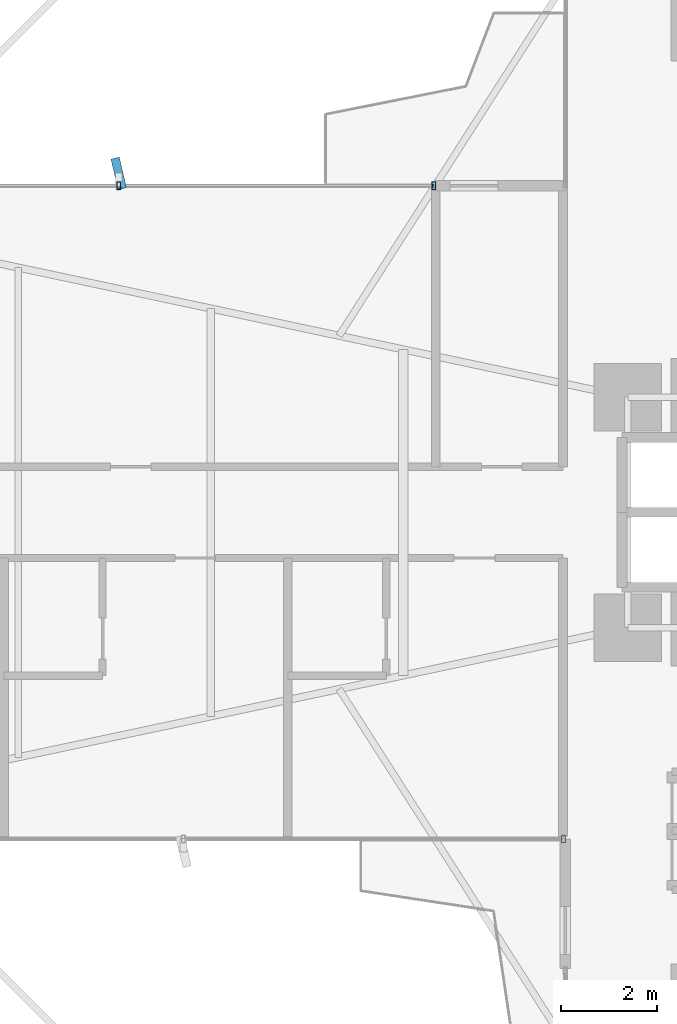
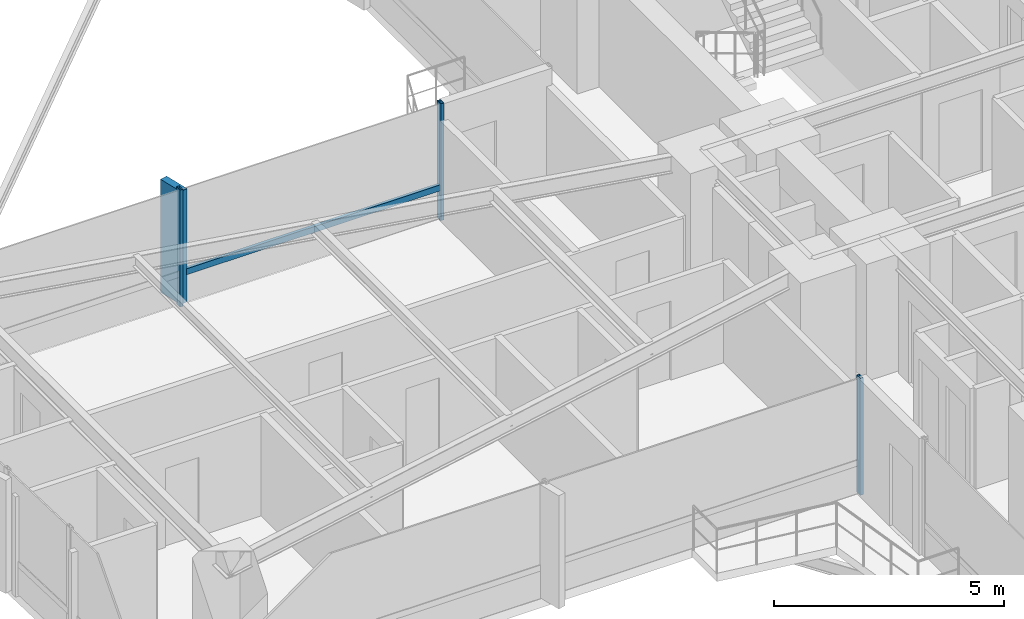
# One storey, part 10 of 25: 5 members, 2 elements without a shape of their own.
"""IFC4 building model written with IfcOpenShell, lengths in metres."""

from ifc_helpers import new_model, si_unit, direction, frame, origin, origin_2d, place, context, subcontext, project, spatial, rectangle, hollow_rectangle, extrude, source, transform, mapped, material, material_profile, profile_set, type_object, element, aggregate, save


model = new_model("IFC4")

# Units and contexts
model_context = context("Model", 3, precision=1e-05, world=origin(), true_north=direction((0.0, 1.0)))
body_context = subcontext(model_context, "Body", "Model", "MODEL_VIEW")
ifc_project = project(units=[si_unit("LENGTHUNIT", "METRE"), si_unit("AREAUNIT", "SQUARE_METRE"), si_unit("VOLUMEUNIT", "CUBIC_METRE"), si_unit("PLANEANGLEUNIT", "RADIAN"), si_unit("MASSUNIT", "GRAM", prefix="KILO")], contexts=[model_context])

# Site, building, storey
site_placement = place(None, origin())
site = spatial("IfcSite", under=ifc_project, at=site_placement, CompositionType="ELEMENT")
building_placement = place(site_placement, origin())
building = spatial("IfcBuilding", under=site, at=building_placement, Name="Sahyath Konkavel Grand Hotel", CompositionType="ELEMENT")
storey_placement = place(building_placement, frame((0.0, 0.0, 33.14990234375)))
storey = spatial("IfcBuildingStorey", under=building, at=storey_placement, Name="L08", CompositionType="ELEMENT", Elevation=33.14990234375)

# Curtain wall, members
ifc_material_1 = material(Name="Anodised Bronze Aluminium & Low-E Glazing", Category="aluminium")
curtain_wall_type = type_object("IfcCurtainWallType", Name="CW-ZONE1", PredefinedType="NOTDEFINED", material=ifc_material_1)
curtain_wall_1_placement = place(storey_placement, origin())
curtain_wall_1 = element("IfcCurtainWall", 1, at=curtain_wall_1_placement, inside=storey, type_object=curtain_wall_type, Name="L08 Unitised Curtain Wall F16", PredefinedType="NOTDEFINED")
ifc_material_2 = material(Name="Warm Buff Sandstone Cladding on Concrete C50/60", Category="masonry")
ifc_material_profile_1 = material_profile(ifc_material_2, rectangle(XDim=0.179931640625, YDim=0.64990234375, at=origin_2d()), Name="FIN 180x650")
ifc_profile_set_1 = profile_set([ifc_material_profile_1], Name="Warm Buff Sandstone Cladding on Concrete C50/60")
member_type_1 = type_object("IfcMemberType", Name="FIN-SANDSTONE-650", PredefinedType="MULLION", material=ifc_profile_set_1)
shared_shape_1 = source(origin(), body_context, "Body", "SweptSolid", [
    extrude(rectangle(XDim=0.179931640625, YDim=0.64990234375, at=origin_2d()), origin(), (0.0, 0.0, 1.0), 3.010009765625),
])
member_1_placement = place(storey_placement, frame((-16.10009765625, 7.06005859375, 0.050048828125), z_axis=(0.0, 0.0, 1.0), x_axis=(0.973138706701, 0.230219585439, 0.0)))
member_1 = element("IfcMember", 2, at=member_1_placement, type_object=member_type_1, Name="L08 Sandstone Vertical Solar Fin FIN F16-1", PredefinedType="MULLION", context=body_context, shape_type="MappedRepresentation", body=[
    mapped(shared_shape_1, transform((0.0, 0.0, 0.0), scale=1.0)),
])
ifc_material_3 = material(Name="Anodised Bronze Aluminium", Category="aluminium")
ifc_material_profile_2 = material_profile(ifc_material_3, hollow_rectangle(XDim=0.080078125, YDim=0.159912109375, WallThickness=0.006103515625, at=origin_2d()), Name="RHS 160x80x6")
ifc_profile_set_2 = profile_set([ifc_material_profile_2], Name="Anodised Bronze Aluminium")
member_type_2 = type_object("IfcMemberType", Name="CW-MUL-160", PredefinedType="MULLION", material=ifc_profile_set_2)
shared_shape_2 = source(origin(), body_context, "Body", "SweptSolid", [
    extrude(hollow_rectangle(XDim=0.080078125, YDim=0.159912109375, WallThickness=0.006103515625, at=origin_2d()), origin(), (0.0, 0.0, 1.0), 3.110107421875),
])
member_2_placement = place(storey_placement, frame((-9.5400390625, 6.800048828125, 0.0), z_axis=(0.0, 0.0, 1.0), x_axis=(1.0, 0.0, 0.0)))
member_2 = element("IfcMember", 3, at=member_2_placement, type_object=member_type_2, Name="L08 Curtain Wall Mullion F16-0", PredefinedType="MULLION", context=body_context, shape_type="MappedRepresentation", body=[
    mapped(shared_shape_2, transform((0.0, 0.0, 0.0), scale=1.0)),
])
member_3_placement = place(storey_placement, frame((-16.10009765625, 6.800048828125, 0.0), z_axis=(0.0, 0.0, 1.0), x_axis=(1.0, 0.0, 0.0)))
member_3 = element("IfcMember", 4, at=member_3_placement, type_object=member_type_2, Name="L08 Curtain Wall Mullion F16-1", PredefinedType="MULLION", context=body_context, shape_type="MappedRepresentation", body=[
    mapped(shared_shape_2, transform((0.0, 0.0, 0.0), scale=1.0)),
])

# Curtain wall, member
curtain_wall_2_placement = place(storey_placement, origin())
curtain_wall_2 = element("IfcCurtainWall", 5, at=curtain_wall_2_placement, inside=storey, type_object=curtain_wall_type, Name="L08 Unitised Curtain Wall F23", PredefinedType="NOTDEFINED")
member_4_placement = place(storey_placement, frame((-6.840087890625, -6.800048828125, 0.0), z_axis=(0.0, 0.0, 1.0), x_axis=(1.0, 0.0, 0.0)))
member_4 = element("IfcMember", 6, at=member_4_placement, type_object=member_type_2, Name="L08 Curtain Wall Mullion F23-2", PredefinedType="MULLION", context=body_context, shape_type="MappedRepresentation", body=[
    mapped(shared_shape_2, transform((0.0, 0.0, 0.0), scale=1.0)),
])
aggregate(curtain_wall_2, [member_4])

# Member
ifc_material_profile_3 = material_profile(ifc_material_3, hollow_rectangle(XDim=0.080078125, YDim=0.159912109375, WallThickness=0.006103515625, at=origin_2d()), Name="RHS 160x80x6")
ifc_profile_set_3 = profile_set([ifc_material_profile_3], Name="Anodised Bronze Aluminium")
member_type_3 = type_object("IfcMemberType", Name="CW-TRN-160", PredefinedType="USERDEFINED", material=ifc_profile_set_3)
shared_shape_3 = source(origin(), body_context, "Body", "SweptSolid", [
    extrude(hollow_rectangle(XDim=0.080078125, YDim=0.159912109375, WallThickness=0.006103515625, at=origin_2d()), origin(), (0.0, 0.0, 1.0), 6.56005859375),
])
member_5_placement = place(storey_placement, frame((-9.5400390625, 6.800048828125, 0.85009765625), z_axis=(-1.0, 0.0, 0.0), x_axis=(0.0, -1.0, 0.0)))
member_5 = element("IfcMember", 7, at=member_5_placement, type_object=member_type_3, Name="L08 Curtain Wall Transom F16-0-spandrel", ObjectType="TRANSOM", PredefinedType="USERDEFINED", context=body_context, shape_type="MappedRepresentation", body=[
    mapped(shared_shape_3, transform((0.0, 0.0, 0.0), scale=1.0)),
])

aggregate(curtain_wall_1, [member_2, member_3, member_1, member_5])

save(model, "model.ifc")
